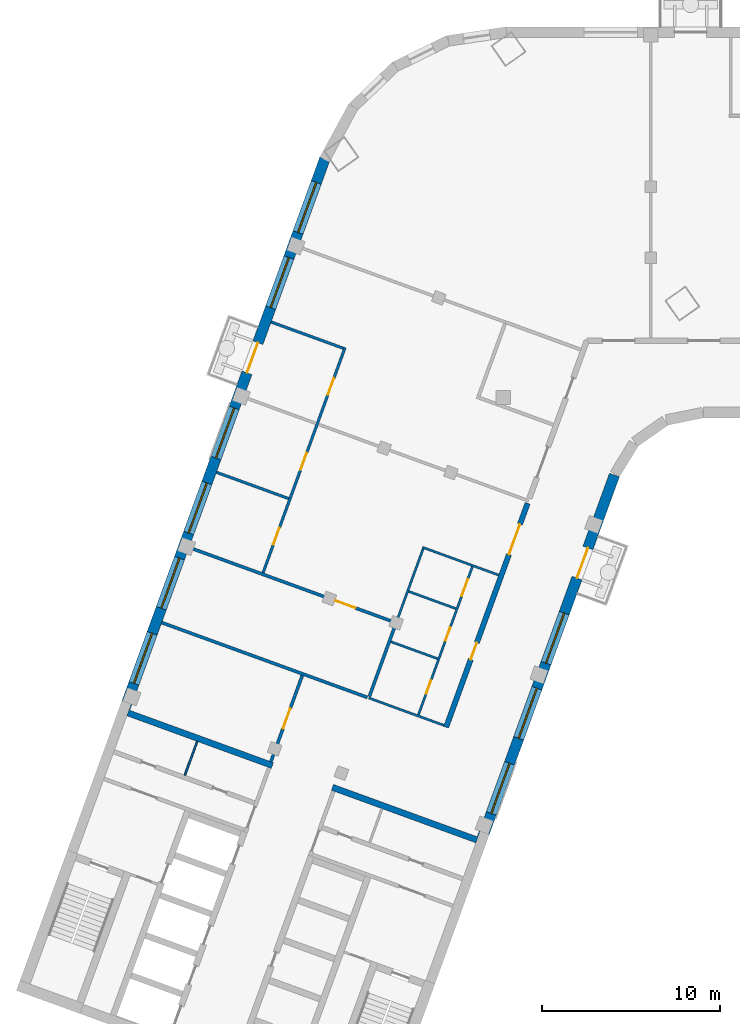
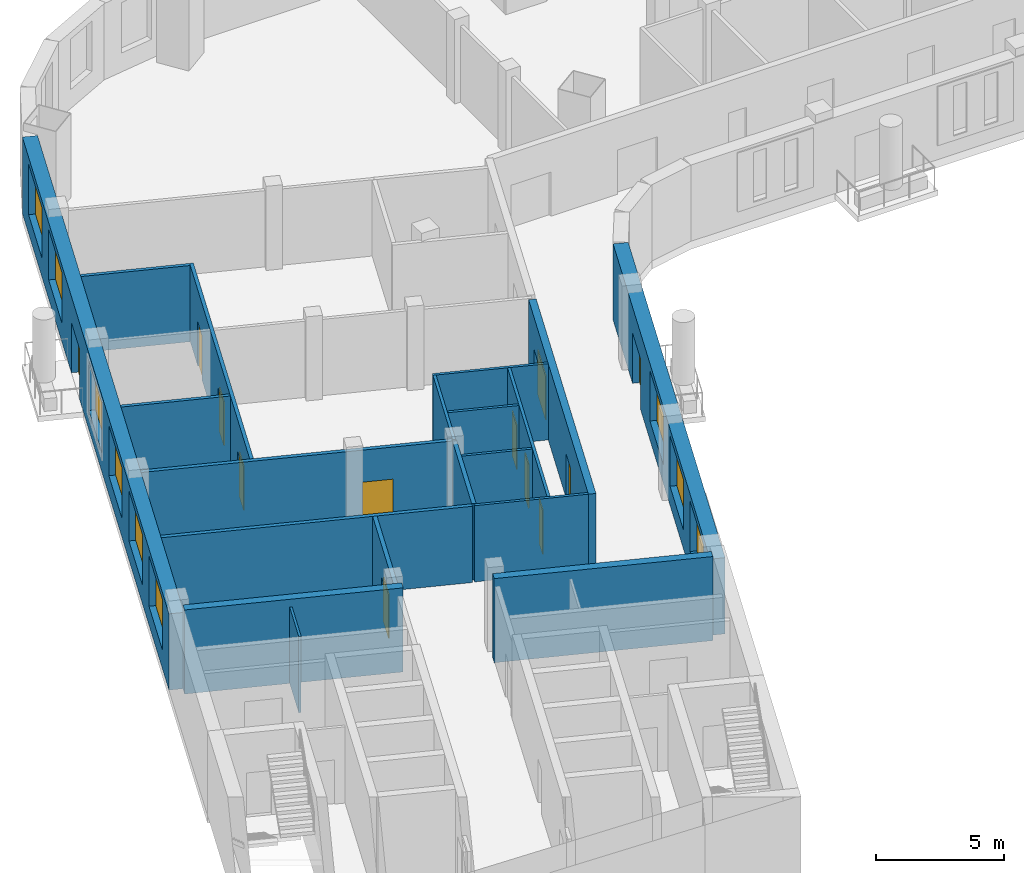
# One storey, part 3 of 10: 19 walls, 12 doors, 9 windows, 21 openings.
"""IFC4 building model written with IfcOpenShell, lengths in metres."""

from ifc_helpers import new_model, si_unit, direction, frame, frame_2d, origin, place, context, subcontext, project, spatial, rectangle, extrude, material, layer, layer_set, type_object, element, fill, save


model = new_model("IFC4")

# Units and contexts
model_context = context("Model", 3, precision=1e-05, world=origin(), true_north=direction((0.0, 1.0)))
body_context = subcontext(model_context, "Body", "Model", "MODEL_VIEW")
ifc_project = project(units=[si_unit("LENGTHUNIT", "METRE"), si_unit("AREAUNIT", "SQUARE_METRE"), si_unit("VOLUMEUNIT", "CUBIC_METRE"), si_unit("PLANEANGLEUNIT", "RADIAN"), si_unit("MASSUNIT", "GRAM", prefix="KILO")], contexts=[model_context])

# Site, building, storey
site_placement = place(None, origin())
site = spatial("IfcSite", under=ifc_project, at=site_placement, CompositionType="ELEMENT")
building_placement = place(site_placement, origin())
building = spatial("IfcBuilding", under=site, at=building_placement, Name="Skarvind Civic Tower", CompositionType="ELEMENT")
storey_placement = place(building_placement, frame((0.0, 0.0, 154.5)))
storey = spatial("IfcBuildingStorey", under=building, at=storey_placement, Name="L36", CompositionType="ELEMENT", Elevation=154.5)

# Wall
ifc_material_1 = material(Name="Acoustic gypsum board on steel studs", Category="steel")
ifc_layer_1 = layer(ifc_material_1, 0.175048828125)
ifc_layer_set_1 = layer_set([ifc_layer_1], Name="ACOUSTIC MEETING-ROOM PARTITION 175")
wall_type_1 = type_object("IfcWallType", Name="ACOUSTIC MEETING-ROOM PARTITION 175", PredefinedType="PARTITIONING", material=ifc_layer_set_1)
wall_1_placement = place(storey_placement, frame((26.736083984375, 105.47998046875, 0.0), z_axis=(0.0, 0.0, 1.0), x_axis=(0.939721611154, -0.341940482438, 0.0)))
element("IfcWall", 1, at=wall_1_placement, inside=storey, type_object=wall_type_1, Name="Partition 36.001", PredefinedType="PARTITIONING", context=body_context, shape_type="SweptSolid", body=[
    extrude(rectangle(XDim=12.31201171875, YDim=0.175048828125, at=frame_2d((6.156005859375, 0.0))), origin(), (0.0, 0.0, 1.0), 3.625),
])

# Wall, opening, door
wall_2_placement = place(storey_placement, frame((32.881103515625, 97.656982421875, 0.0), z_axis=(0.0, 0.0, 1.0), x_axis=(0.342058204353, 0.939678766832, 0.0)))
wall_2 = element("IfcWall", 2, at=wall_2_placement, inside=storey, type_object=wall_type_1, Name="Partition 36.006", PredefinedType="PARTITIONING", context=body_context, shape_type="SweptSolid", body=[
    extrude(rectangle(XDim=5.16259765625, YDim=0.175048828125, at=frame_2d((2.581298828125, 0.0))), origin(), (0.0, 0.0, 1.0), 3.625),
])
opening_1_placement = place(wall_2_placement, frame((1.9912109375, 0.0, 0.0)))
opening_1 = element("IfcOpeningElement", 3, at=opening_1_placement, cuts=wall_2, Name="Opening L36-D012", PredefinedType="OPENING", context=body_context, shape_type="SweptSolid", body=[
    extrude(rectangle(XDim=1.199951171875, YDim=2.10009765625, at=frame_2d((0.60009765625, 1.050048828125))), frame((0.0, 0.097412109375, 0.0), z_axis=(0.0, -1.0, 0.0), x_axis=(1.0, 0.0, 0.0)), (0.0, 0.0, 1.0), 0.195068359375),
])
ifc_material_2 = material(Name="Timber door leaf", Category="wood")
door_type_1 = type_object("IfcDoorType", Name="DOOR 1200X2100 DOUBLE TIMBER", OperationType="NOTDEFINED", PredefinedType="DOOR", material=ifc_material_2)
door_1_placement = place(opening_1_placement, origin())
door_1 = element("IfcDoor", 4, at=door_1_placement, inside=storey, type_object=door_type_1, Name="Door L36-D012", OperationType="DOUBLE_DOOR_SINGLE_SWING", OverallHeight=2.10009765625, OverallWidth=1.199951171875, PredefinedType="DOOR", context=body_context, shape_type="SweptSolid", body=[
    extrude(rectangle(XDim=1.199951171875, YDim=2.10009765625, at=frame_2d((0.60009765625, 1.050048828125))), frame((0.0, 0.02490234375, 0.0), z_axis=(0.0, -1.0, 0.0), x_axis=(1.0, 0.0, 0.0)), (0.0, 0.0, 1.0), 0.050048828125),
])
fill(opening_1, door_1)

# Wall
wall_3_placement = place(storey_placement, frame((38.41796875, 101.322021484375, 0.0), z_axis=(0.0, 0.0, 1.0), x_axis=(0.341987815327, 0.939704386585, 0.0)))
element("IfcWall", 5, at=wall_3_placement, inside=storey, type_object=wall_type_1, Name="Partition 36.009", PredefinedType="PARTITIONING", context=body_context, shape_type="SweptSolid", body=[
    extrude(rectangle(XDim=4.32470703125, YDim=0.175048828125, at=frame_2d((2.162353515625, 0.0))), origin(), (0.0, 0.0, 1.0), 3.625),
])

# Wall, opening, door
wall_4_placement = place(storey_placement, frame((28.27490234375, 109.708984375, 0.0), z_axis=(0.0, 0.0, 1.0), x_axis=(0.939698441386, -0.342004150936, 0.0)))
wall_4 = element("IfcWall", 6, at=wall_4_placement, inside=storey, type_object=wall_type_1, Name="Partition 36.011", PredefinedType="PARTITIONING", context=body_context, shape_type="SweptSolid", body=[
    extrude(rectangle(XDim=12.3125, YDim=0.175048828125, at=frame_2d((6.15625, 0.0))), origin(), (0.0, 0.0, 1.0), 3.625),
])
opening_2_placement = place(wall_4_placement, frame((8.764892578125, 0.0, 0.0)))
opening_2 = element("IfcOpeningElement", 7, at=opening_2_placement, cuts=wall_4, Name="Opening L36-D024", PredefinedType="OPENING", context=body_context, shape_type="SweptSolid", body=[
    extrude(rectangle(XDim=1.199951171875, YDim=2.10009765625, at=frame_2d((0.60009765625, 1.050048828125))), frame((0.0, 0.097412109375, 0.0), z_axis=(0.0, -1.0, 0.0), x_axis=(1.0, 0.0, 0.0)), (0.0, 0.0, 1.0), 0.195068359375),
])
door_2_placement = place(opening_2_placement, origin())
door_2 = element("IfcDoor", 8, at=door_2_placement, inside=storey, type_object=door_type_1, Name="Door L36-D024", OperationType="DOUBLE_DOOR_SINGLE_SWING", OverallHeight=2.10009765625, OverallWidth=1.199951171875, PredefinedType="DOOR", context=body_context, shape_type="SweptSolid", body=[
    extrude(rectangle(XDim=1.199951171875, YDim=2.10009765625, at=frame_2d((0.60009765625, 1.050048828125))), frame((0.0, 0.02490234375, 0.0), z_axis=(0.0, -1.0, 0.0), x_axis=(1.0, 0.0, 0.0)), (0.0, 0.0, 1.0), 0.050048828125),
])
fill(opening_2, door_2)

# Wall, openings, doors
ifc_material_3 = material(Name="Fire-rated gypsum board on steel studs", Category="steel")
ifc_layer_2 = layer(ifc_material_3, 0.300048828125)
ifc_layer_set_2 = layer_set([ifc_layer_2], Name="CORRIDOR WALL 300")
wall_type_2 = type_object("IfcWallType", Name="CORRIDOR WALL 300", PredefinedType="PARTITIONING", material=ifc_layer_set_2)
wall_5_placement = place(storey_placement, frame((47.324951171875, 112.197021484375, 0.0), z_axis=(0.0, 0.0, 1.0), x_axis=(-0.341976837053, -0.93970838185, 0.0)))
wall_5 = element("IfcWall", 9, at=wall_5_placement, inside=storey, type_object=wall_type_2, Name="Partition 36.018", PredefinedType="PARTITIONING", context=body_context, shape_type="SweptSolid", body=[
    extrude(rectangle(XDim=13.415771484375, YDim=0.300048828125, at=frame_2d((6.7080078125, 0.0))), origin(), (0.0, 0.0, 1.0), 3.625),
])
opening_3_placement = place(wall_5_placement, frame((8.353515625, 0.0, 0.0)))
opening_3 = element("IfcOpeningElement", 10, at=opening_3_placement, cuts=wall_5, Name="Opening L36-D013", PredefinedType="OPENING", context=body_context, shape_type="SweptSolid", body=[
    extrude(rectangle(XDim=1.0, YDim=2.10009765625, at=frame_2d((0.5, 1.050048828125))), frame((0.0, 0.159912109375, 0.0), z_axis=(0.0, -1.0, 0.0), x_axis=(1.0, 0.0, 0.0)), (0.0, 0.0, 1.0), 0.320068359375),
])
opening_4_placement = place(wall_5_placement, frame((1.2666015625, 0.0, 0.0)))
opening_4 = element("IfcOpeningElement", 11, at=opening_4_placement, cuts=wall_5, Name="Opening L36-D019", PredefinedType="OPENING", context=body_context, shape_type="SweptSolid", body=[
    extrude(rectangle(XDim=1.800048828125, YDim=2.10009765625, at=frame_2d((0.89990234375, 1.050048828125))), frame((0.0, 0.159912109375, 0.0), z_axis=(0.0, -1.0, 0.0), x_axis=(1.0, 0.0, 0.0)), (0.0, 0.0, 1.0), 0.320068359375),
])
ifc_material_4 = material(Name="Fire-rated timber door leaf", Category="wood")
door_type_2 = type_object("IfcDoorType", Name="FD1 1000x2100", OperationType="NOTDEFINED", PredefinedType="DOOR", material=ifc_material_4)
door_3_placement = place(opening_3_placement, origin())
door_3 = element("IfcDoor", 12, at=door_3_placement, inside=storey, type_object=door_type_2, Name="Door L36-D013", OperationType="SINGLE_SWING_LEFT", OverallHeight=2.10009765625, OverallWidth=1.0, PredefinedType="DOOR", context=body_context, shape_type="SweptSolid", body=[
    extrude(rectangle(XDim=1.0, YDim=2.10009765625, at=frame_2d((0.5, 1.050048828125))), frame((0.0, 0.02490234375, 0.0), z_axis=(0.0, -1.0, 0.0), x_axis=(1.0, 0.0, 0.0)), (0.0, 0.0, 1.0), 0.050048828125),
])
fill(opening_3, door_3)
door_type_3 = type_object("IfcDoorType", Name="FD4 1800x2100", OperationType="NOTDEFINED", PredefinedType="DOOR", material=ifc_material_4)
door_4_placement = place(opening_4_placement, origin())
door_4 = element("IfcDoor", 13, at=door_4_placement, inside=storey, type_object=door_type_3, Name="Door L36-D019", OperationType="DOUBLE_DOOR_SINGLE_SWING", OverallHeight=2.10009765625, OverallWidth=1.800048828125, PredefinedType="DOOR", context=body_context, shape_type="SweptSolid", body=[
    extrude(rectangle(XDim=1.800048828125, YDim=2.10009765625, at=frame_2d((0.89990234375, 1.050048828125))), frame((0.0, 0.02490234375, 0.0), z_axis=(0.0, -1.0, 0.0), x_axis=(1.0, 0.0, 0.0)), (0.0, 0.0, 1.0), 0.050048828125),
])
fill(opening_4, door_4)

# Walls
ifc_material_5 = material(Name="Fire-rated plasterboard partition")
ifc_layer_3 = layer(ifc_material_5, 0.10009765625)
ifc_layer_set_3 = layer_set([ifc_layer_3], Name="Core partition wall 100")
wall_type_3 = type_object("IfcWallType", Name="Core partition wall 100", PredefinedType="PARTITIONING", material=ifc_layer_set_3)
wall_6_placement = place(storey_placement, frame((28.037353515625, 96.892578125, 0.0), z_axis=(0.0, 0.0, 1.0), x_axis=(0.342043138314, 0.939684250976, 0.0)))
element("IfcWall", 14, at=wall_6_placement, inside=storey, type_object=wall_type_3, Name="Core wall C2", PredefinedType="PARTITIONING", context=body_context, shape_type="SweptSolid", body=[
    extrude(rectangle(XDim=2.02490234375, YDim=0.10009765625, at=frame_2d((1.012451171875, 0.0))), origin(), (0.0, 0.0, 1.0), 3.625),
])
ifc_material_6 = material(Name="Concrete C60", Category="concrete")
ifc_layer_4 = layer(ifc_material_6, 0.35009765625)
ifc_layer_set_4 = layer_set([ifc_layer_4], Name="Core wall 350 C60")
wall_type_4 = type_object("IfcWallType", Name="Core wall 350 C60", PredefinedType="SHEAR", material=ifc_layer_set_4)
wall_7_placement = place(storey_placement, frame((44.473388671875, 93.25146484375, 0.0), z_axis=(0.0, 0.0, 1.0), x_axis=(-0.939692847377, 0.34201952077, 0.0)))
element("IfcWall", 15, at=wall_7_placement, inside=storey, type_object=wall_type_4, Name="Core wall C2 south inner face L36", PredefinedType="SHEAR", context=body_context, shape_type="SweptSolid", body=[
    extrude(rectangle(XDim=8.650146484375, YDim=0.35009765625, at=frame_2d((4.3251953125, 0.0))), origin(), (0.0, 0.0, 1.0), 4.0),
])
wall_8_placement = place(storey_placement, frame((32.9619140625, 97.44140625, 0.0), z_axis=(0.0, 0.0, 1.0), x_axis=(-0.939689545667, 0.342028592028, 0.0)))
element("IfcWall", 16, at=wall_8_placement, inside=storey, type_object=wall_type_4, Name="Core wall C2 north inner face L36", PredefinedType="SHEAR", context=body_context, shape_type="SweptSolid", body=[
    extrude(rectangle(XDim=8.64990234375, YDim=0.35009765625, at=frame_2d((4.324951171875, 0.0))), origin(), (0.0, 0.0, 1.0), 4.0),
])
ifc_material_7 = material(Name="Plasterboard partition on steel studs", Category="steel")
ifc_layer_5 = layer(ifc_material_7, 0.14990234375)
ifc_layer_set_5 = layer_set([ifc_layer_5], Name="PARTITION 150")
wall_type_5 = type_object("IfcWallType", Name="PARTITION 150", PredefinedType="PARTITIONING", material=ifc_layer_set_5)
wall_9_placement = place(storey_placement, frame((29.81396484375, 113.93798828125, 0.0), z_axis=(0.0, 0.0, 1.0), x_axis=(0.93973078783, -0.341915262023, 0.0)))
element("IfcWall", 17, at=wall_9_placement, inside=storey, type_object=wall_type_5, Name="Partition 36.002", PredefinedType="PARTITIONING", context=body_context, shape_type="SweptSolid", body=[
    extrude(rectangle(XDim=4.32568359375, YDim=0.14990234375, at=frame_2d((2.162841796875, 0.0))), origin(), (0.0, 0.0, 1.0), 3.625),
])

# Wall, openings, doors
wall_10_placement = place(storey_placement, frame((37.052978515625, 120.9599609375, 0.0), z_axis=(0.0, 0.0, 1.0), x_axis=(-0.342023551531, -0.939691380293, 0.0)))
wall_10 = element("IfcWall", 18, at=wall_10_placement, inside=storey, type_object=wall_type_5, Name="Partition 36.004", PredefinedType="PARTITIONING", context=body_context, shape_type="SweptSolid", body=[
    extrude(rectangle(XDim=13.487548828125, YDim=0.14990234375, at=frame_2d((6.74365234375, 0.0))), origin(), (0.0, 0.0, 1.0), 3.625),
])
opening_5_placement = place(wall_10_placement, frame((10.791015625, 0.0, 0.0)))
opening_5 = element("IfcOpeningElement", 19, at=opening_5_placement, cuts=wall_10, Name="Opening L36-D017", PredefinedType="OPENING", context=body_context, shape_type="SweptSolid", body=[
    extrude(rectangle(XDim=1.0, YDim=2.10009765625, at=frame_2d((0.5, 1.050048828125))), frame((0.0, 0.0849609375, 0.0), z_axis=(0.0, -1.0, 0.0), x_axis=(1.0, 0.0, 0.0)), (0.0, 0.0, 1.0), 0.169921875),
])
opening_6_placement = place(wall_10_placement, frame((6.32421875, 0.0, 0.0)))
opening_6 = element("IfcOpeningElement", 20, at=opening_6_placement, cuts=wall_10, Name="Opening L36-D018", PredefinedType="OPENING", context=body_context, shape_type="SweptSolid", body=[
    extrude(rectangle(XDim=1.0, YDim=2.10009765625, at=frame_2d((0.5, 1.050048828125))), frame((0.0, 0.0849609375, 0.0), z_axis=(0.0, -1.0, 0.0), x_axis=(1.0, 0.0, 0.0)), (0.0, 0.0, 1.0), 0.169921875),
])
opening_7_placement = place(wall_10_placement, frame((1.82421875, 0.0, 0.0)))
opening_7 = element("IfcOpeningElement", 21, at=opening_7_placement, cuts=wall_10, Name="Opening L36-D021", PredefinedType="OPENING", context=body_context, shape_type="SweptSolid", body=[
    extrude(rectangle(XDim=1.0, YDim=2.10009765625, at=frame_2d((0.5, 1.050048828125))), frame((0.0, 0.0849609375, 0.0), z_axis=(0.0, -1.0, 0.0), x_axis=(1.0, 0.0, 0.0)), (0.0, 0.0, 1.0), 0.169921875),
])
door_type_4 = type_object("IfcDoorType", Name="D1 1000x2100", OperationType="NOTDEFINED", PredefinedType="DOOR", material=ifc_material_2)
door_5_placement = place(opening_5_placement, origin())
door_5 = element("IfcDoor", 22, at=door_5_placement, inside=storey, type_object=door_type_4, Name="Door L36-D017", OperationType="SINGLE_SWING_LEFT", OverallHeight=2.10009765625, OverallWidth=1.0, PredefinedType="DOOR", context=body_context, shape_type="SweptSolid", body=[
    extrude(rectangle(XDim=1.0, YDim=2.10009765625, at=frame_2d((0.5, 1.050048828125))), frame((0.0, 0.02490234375, 0.0), z_axis=(0.0, -1.0, 0.0), x_axis=(1.0, 0.0, 0.0)), (0.0, 0.0, 1.0), 0.050048828125),
])
fill(opening_5, door_5)
door_6_placement = place(opening_6_placement, origin())
door_6 = element("IfcDoor", 23, at=door_6_placement, inside=storey, type_object=door_type_4, Name="Door L36-D018", OperationType="SINGLE_SWING_RIGHT", OverallHeight=2.10009765625, OverallWidth=1.0, PredefinedType="DOOR", context=body_context, shape_type="SweptSolid", body=[
    extrude(rectangle(XDim=1.0, YDim=2.10009765625, at=frame_2d((0.5, 1.050048828125))), frame((0.0, 0.02490234375, 0.0), z_axis=(0.0, -1.0, 0.0), x_axis=(1.0, 0.0, 0.0)), (0.0, 0.0, 1.0), 0.050048828125),
])
fill(opening_6, door_6)
door_7_placement = place(opening_7_placement, origin())
door_7 = element("IfcDoor", 24, at=door_7_placement, inside=storey, type_object=door_type_4, Name="Door L36-D021", OperationType="SINGLE_SWING_LEFT", OverallHeight=2.10009765625, OverallWidth=1.0, PredefinedType="DOOR", context=body_context, shape_type="SweptSolid", body=[
    extrude(rectangle(XDim=1.0, YDim=2.10009765625, at=frame_2d((0.5, 1.050048828125))), frame((0.0, 0.02490234375, 0.0), z_axis=(0.0, -1.0, 0.0), x_axis=(1.0, 0.0, 0.0)), (0.0, 0.0, 1.0), 0.050048828125),
])
fill(opening_7, door_7)

# Walls
wall_11_placement = place(storey_placement, frame((32.89208984375, 122.39501953125, 0.0), z_axis=(0.0, 0.0, 1.0), x_axis=(0.93973078783, -0.341915262023, 0.0)))
element("IfcWall", 25, at=wall_11_placement, inside=storey, type_object=wall_type_5, Name="Partition 36.005", PredefinedType="PARTITIONING", context=body_context, shape_type="SweptSolid", body=[
    extrude(rectangle(XDim=4.32568359375, YDim=0.14990234375, at=frame_2d((2.162841796875, 0.0))), origin(), (0.0, 0.0, 1.0), 3.625),
])
ifc_material_8 = material(Name="Moisture-resistant gypsum board on steel studs", Category="steel")
ifc_layer_6 = layer(ifc_material_8, 0.125)
ifc_layer_set_6 = layer_set([ifc_layer_6], Name="WC PARTITION 125")
wall_type_6 = type_object("IfcWallType", Name="WC PARTITION 125", PredefinedType="PARTITIONING", material=ifc_layer_set_6)
wall_12_placement = place(storey_placement, frame((38.385009765625, 101.239990234375, 0.0), z_axis=(0.0, 0.0, 1.0), x_axis=(0.939711088937, -0.341969398235, 0.0)))
element("IfcWall", 26, at=wall_12_placement, inside=storey, type_object=wall_type_6, Name="Partition 36.007", PredefinedType="PARTITIONING", context=body_context, shape_type="SweptSolid", body=[
    extrude(rectangle(XDim=4.50341796875, YDim=0.125, at=frame_2d((2.251708984375, 0.0))), origin(), (0.0, 0.0, 1.0), 3.625),
])
wall_13_placement = place(storey_placement, frame((39.926025390625, 105.465087890625, 0.0), z_axis=(0.0, 0.0, 1.0), x_axis=(0.342263852659, 0.93960388205, 0.0)))
element("IfcWall", 27, at=wall_13_placement, inside=storey, type_object=wall_type_6, Name="Partition 36.010", PredefinedType="PARTITIONING", context=body_context, shape_type="SweptSolid", body=[
    extrude(rectangle(XDim=4.441162109375, YDim=0.125, at=frame_2d((2.220703125, 0.0))), origin(), (0.0, 0.0, 1.0), 3.625),
])

# Wall, openings, doors
wall_14_placement = place(storey_placement, frame((41.180908203125, 100.2900390625, 0.0), z_axis=(0.0, 0.0, 1.0), x_axis=(0.34222012082, 0.939619810831, 0.0)))
wall_14 = element("IfcWall", 28, at=wall_14_placement, inside=storey, type_object=wall_type_6, Name="Partition 36.014", PredefinedType="PARTITIONING", context=body_context, shape_type="SweptSolid", body=[
    extrude(rectangle(XDim=8.874755859375, YDim=0.125, at=frame_2d((4.4375, 0.0))), origin(), (0.0, 0.0, 1.0), 3.625),
])
opening_8_placement = place(wall_14_placement, frame((1.25830078125, 0.0, 0.0)))
opening_8 = element("IfcOpeningElement", 29, at=opening_8_placement, cuts=wall_14, Name="Opening L36-D014", PredefinedType="OPENING", context=body_context, shape_type="SweptSolid", body=[
    extrude(rectangle(XDim=0.800048828125, YDim=2.10009765625, at=frame_2d((0.39990234375, 1.050048828125))), frame((0.0, 0.072509765625, 0.0), z_axis=(0.0, -1.0, 0.0), x_axis=(1.0, 0.0, 0.0)), (0.0, 0.0, 1.0), 0.14501953125),
])
opening_9_placement = place(wall_14_placement, frame((4.43701171875, 0.0, 0.0)))
opening_9 = element("IfcOpeningElement", 30, at=opening_9_placement, cuts=wall_14, Name="Opening L36-D015", PredefinedType="OPENING", context=body_context, shape_type="SweptSolid", body=[
    extrude(rectangle(XDim=0.800048828125, YDim=2.10009765625, at=frame_2d((0.39990234375, 1.050048828125))), frame((0.0, 0.072509765625, 0.0), z_axis=(0.0, -1.0, 0.0), x_axis=(1.0, 0.0, 0.0)), (0.0, 0.0, 1.0), 0.14501953125),
])
opening_10_placement = place(wall_14_placement, frame((7.1162109375, 0.0, 0.0)))
opening_10 = element("IfcOpeningElement", 31, at=opening_10_placement, cuts=wall_14, Name="Opening L36-D016", PredefinedType="OPENING", context=body_context, shape_type="SweptSolid", body=[
    extrude(rectangle(XDim=1.0, YDim=2.10009765625, at=frame_2d((0.5, 1.050048828125))), frame((0.0, 0.072509765625, 0.0), z_axis=(0.0, -1.0, 0.0), x_axis=(1.0, 0.0, 0.0)), (0.0, 0.0, 1.0), 0.14501953125),
])
door_8_placement = place(opening_10_placement, origin())
door_8 = element("IfcDoor", 32, at=door_8_placement, inside=storey, type_object=door_type_4, Name="Door L36-D016", OperationType="SINGLE_SWING_LEFT", OverallHeight=2.10009765625, OverallWidth=1.0, PredefinedType="DOOR", context=body_context, shape_type="SweptSolid", body=[
    extrude(rectangle(XDim=1.0, YDim=2.10009765625, at=frame_2d((0.5, 1.050048828125))), frame((0.0, 0.02490234375, 0.0), z_axis=(0.0, -1.0, 0.0), x_axis=(1.0, 0.0, 0.0)), (0.0, 0.0, 1.0), 0.050048828125),
])
fill(opening_10, door_8)
door_type_5 = type_object("IfcDoorType", Name="DOOR 800X2100 TIMBER", OperationType="NOTDEFINED", PredefinedType="DOOR", material=ifc_material_2)
door_9_placement = place(opening_8_placement, origin())
door_9 = element("IfcDoor", 33, at=door_9_placement, inside=storey, type_object=door_type_5, Name="Door L36-D014", OperationType="SINGLE_SWING_LEFT", OverallHeight=2.10009765625, OverallWidth=0.800048828125, PredefinedType="DOOR", context=body_context, shape_type="SweptSolid", body=[
    extrude(rectangle(XDim=0.800048828125, YDim=2.10009765625, at=frame_2d((0.39990234375, 1.050048828125))), frame((0.0, 0.02490234375, 0.0), z_axis=(0.0, -1.0, 0.0), x_axis=(1.0, 0.0, 0.0)), (0.0, 0.0, 1.0), 0.050048828125),
])
fill(opening_8, door_9)
door_10_placement = place(opening_9_placement, origin())
door_10 = element("IfcDoor", 34, at=door_10_placement, inside=storey, type_object=door_type_5, Name="Door L36-D015", OperationType="SINGLE_SWING_LEFT", OverallHeight=2.10009765625, OverallWidth=0.800048828125, PredefinedType="DOOR", context=body_context, shape_type="SweptSolid", body=[
    extrude(rectangle(XDim=0.800048828125, YDim=2.10009765625, at=frame_2d((0.39990234375, 1.050048828125))), frame((0.0, 0.02490234375, 0.0), z_axis=(0.0, -1.0, 0.0), x_axis=(1.0, 0.0, 0.0)), (0.0, 0.0, 1.0), 0.050048828125),
])
fill(opening_9, door_10)

# Walls
wall_15_placement = place(storey_placement, frame((41.407958984375, 109.718017578125, 0.0), z_axis=(0.0, 0.0, 1.0), x_axis=(0.939646475447, -0.3421469, 0.0)))
element("IfcWall", 35, at=wall_15_placement, inside=storey, type_object=wall_type_6, Name="Partition 36.015", PredefinedType="PARTITIONING", context=body_context, shape_type="SweptSolid", body=[
    extrude(rectangle(XDim=4.5625, YDim=0.125, at=frame_2d((2.28125, 0.0))), origin(), (0.0, 0.0, 1.0), 3.625),
])
wall_16_placement = place(storey_placement, frame((42.263916015625, 103.446044921875, 0.0), z_axis=(0.0, 0.0, 1.0), x_axis=(-0.939640574808, 0.342163104635, 0.0)))
element("IfcWall", 36, at=wall_16_placement, inside=storey, type_object=wall_type_6, Name="Partition 36.016", PredefinedType="PARTITIONING", context=body_context, shape_type="SweptSolid", body=[
    extrude(rectangle(XDim=2.7998046875, YDim=0.125, at=frame_2d((1.39990234375, 0.0))), origin(), (0.0, 0.0, 1.0), 3.625),
])
wall_17_placement = place(storey_placement, frame((43.2900390625, 106.26611328125, 0.0), z_axis=(0.0, 0.0, 1.0), x_axis=(-0.939601484935, 0.342270433294, 0.0)))
element("IfcWall", 37, at=wall_17_placement, inside=storey, type_object=wall_type_6, Name="Partition 36.019", PredefinedType="PARTITIONING", context=body_context, shape_type="SweptSolid", body=[
    extrude(rectangle(XDim=2.82470703125, YDim=0.125, at=frame_2d((1.412353515625, 0.0))), origin(), (0.0, 0.0, 1.0), 3.625),
])

# Wall, openings, door, windows
ifc_material_9 = material(Name="Limestone masonry cladding on insulated backing", Category="masonry")
ifc_layer_7 = layer(ifc_material_9, 0.60009765625)
ifc_layer_set_7 = layer_set([ifc_layer_7], Name="WX1 STONE FACADE WALL 600")
wall_type_7 = type_object("IfcWallType", Name="WX1 STONE FACADE WALL 600", PredefinedType="SOLIDWALL", material=ifc_layer_set_7)
wall_18_placement = place(storey_placement, frame((52.212158203125, 113.78271484375, 0.0), z_axis=(0.0, 0.0, 1.0), x_axis=(-0.34202521188, -0.939690775968, 0.0)))
wall_18 = element("IfcWall", 38, at=wall_18_placement, inside=storey, type_object=wall_type_7, Name="STONE FACADE WALL", PredefinedType="SOLIDWALL", context=body_context, shape_type="SweptSolid", body=[
    extrude(rectangle(XDim=21.744873046875, YDim=0.60009765625, at=frame_2d((10.87255859375, 0.0))), origin(), (0.0, 0.0, 1.0), 3.625),
])
opening_11_placement = place(wall_18_placement, frame((4.364990234375, 0.0, 0.0)))
opening_11 = element("IfcOpeningElement", 39, at=opening_11_placement, cuts=wall_18, Name="Opening DX3", PredefinedType="OPENING", context=body_context, shape_type="SweptSolid", body=[
    extrude(rectangle(XDim=1.800048828125, YDim=2.39990234375, at=frame_2d((0.89990234375, 1.199951171875))), frame((0.0, 0.31005859375, 0.0), z_axis=(0.0, -1.0, 0.0), x_axis=(1.0, 0.0, 0.0)), (0.0, 0.0, 1.0), 0.6201171875),
])
opening_12_placement = place(wall_18_placement, frame((8.264892578125, 0.0, 0.89990234375)))
opening_12 = element("IfcOpeningElement", 40, at=opening_12_placement, cuts=wall_18, Name="Opening WN1", PredefinedType="OPENING", context=body_context, shape_type="SweptSolid", body=[
    extrude(rectangle(XDim=3.0, YDim=2.39990234375, at=frame_2d((1.5, 1.199951171875))), frame((0.0, 0.31005859375, 0.0), z_axis=(0.0, -1.0, 0.0), x_axis=(1.0, 0.0, 0.0)), (0.0, 0.0, 1.0), 0.6201171875),
])
opening_13_placement = place(wall_18_placement, frame((12.764892578125, 0.0, 0.89990234375)))
opening_13 = element("IfcOpeningElement", 41, at=opening_13_placement, cuts=wall_18, Name="Opening WN1", PredefinedType="OPENING", context=body_context, shape_type="SweptSolid", body=[
    extrude(rectangle(XDim=3.0, YDim=2.39990234375, at=frame_2d((1.5, 1.199951171875))), frame((0.0, 0.31005859375, 0.0), z_axis=(0.0, -1.0, 0.0), x_axis=(1.0, 0.0, 0.0)), (0.0, 0.0, 1.0), 0.6201171875),
])
opening_14_placement = place(wall_18_placement, frame((17.264892578125, 0.0, 0.89990234375)))
opening_14 = element("IfcOpeningElement", 42, at=opening_14_placement, cuts=wall_18, Name="Opening WN1", PredefinedType="OPENING", context=body_context, shape_type="SweptSolid", body=[
    extrude(rectangle(XDim=3.0, YDim=2.39990234375, at=frame_2d((1.5, 1.199951171875))), frame((0.0, 0.31005859375, 0.0), z_axis=(0.0, -1.0, 0.0), x_axis=(1.0, 0.0, 0.0)), (0.0, 0.0, 1.0), 0.6201171875),
])
ifc_material_10 = material(Name="Timber and glass doorset", Category="wood")
door_type_6 = type_object("IfcDoorType", Name="DX3 TERRACE DOORS 1800 x 2400", OperationType="NOTDEFINED", PredefinedType="DOOR", material=ifc_material_10)
door_11_placement = place(opening_11_placement, origin())
door_11 = element("IfcDoor", 43, at=door_11_placement, inside=storey, type_object=door_type_6, Name="TERRACE DOORS", OperationType="DOUBLE_DOOR_SINGLE_SWING", OverallHeight=2.39990234375, OverallWidth=1.800048828125, PredefinedType="DOOR", context=body_context, shape_type="SweptSolid", body=[
    extrude(rectangle(XDim=1.800048828125, YDim=2.39990234375, at=frame_2d((0.89990234375, 1.199951171875))), frame((0.0, 0.02490234375, 0.0), z_axis=(0.0, -1.0, 0.0), x_axis=(1.0, 0.0, 0.0)), (0.0, 0.0, 1.0), 0.050048828125),
])
fill(opening_11, door_11)
ifc_material_11 = material(Name="Timber frame, double glazing, timber-lined reveal", Category="wood")
window_type = type_object("IfcWindowType", Name="WN1 PUNCHED STONE WINDOW 3000 x 2400", PartitioningType="SINGLE_PANEL", PredefinedType="WINDOW", material=ifc_material_11)
window_1_placement = place(opening_12_placement, origin())
window_1 = element("IfcWindow", 44, at=window_1_placement, inside=storey, type_object=window_type, Name="WN1 WINDOW", OverallHeight=2.39990234375, OverallWidth=3.0, PartitioningType="SINGLE_PANEL", PredefinedType="WINDOW", context=body_context, shape_type="SweptSolid", body=[
    extrude(rectangle(XDim=3.0, YDim=2.39990234375, at=frame_2d((1.5, 1.199951171875))), frame((0.0, 0.030029296875, 0.0), z_axis=(0.0, -1.0, 0.0), x_axis=(1.0, 0.0, 0.0)), (0.0, 0.0, 1.0), 0.06005859375),
])
fill(opening_12, window_1)
window_2_placement = place(opening_13_placement, origin())
window_2 = element("IfcWindow", 45, at=window_2_placement, inside=storey, type_object=window_type, Name="WN1 WINDOW", OverallHeight=2.39990234375, OverallWidth=3.0, PartitioningType="SINGLE_PANEL", PredefinedType="WINDOW", context=body_context, shape_type="SweptSolid", body=[
    extrude(rectangle(XDim=3.0, YDim=2.39990234375, at=frame_2d((1.5, 1.199951171875))), frame((0.0, 0.030029296875, 0.0), z_axis=(0.0, -1.0, 0.0), x_axis=(1.0, 0.0, 0.0)), (0.0, 0.0, 1.0), 0.06005859375),
])
fill(opening_13, window_2)
window_3_placement = place(opening_14_placement, origin())
window_3 = element("IfcWindow", 46, at=window_3_placement, inside=storey, type_object=window_type, Name="WN1 WINDOW", OverallHeight=2.39990234375, OverallWidth=3.0, PartitioningType="SINGLE_PANEL", PredefinedType="WINDOW", context=body_context, shape_type="SweptSolid", body=[
    extrude(rectangle(XDim=3.0, YDim=2.39990234375, at=frame_2d((1.5, 1.199951171875))), frame((0.0, 0.030029296875, 0.0), z_axis=(0.0, -1.0, 0.0), x_axis=(1.0, 0.0, 0.0)), (0.0, 0.0, 1.0), 0.06005859375),
])
fill(opening_14, window_3)

wall_19_placement = place(storey_placement, frame((24.66552734375, 100.668701171875, 0.0), z_axis=(0.0, 0.0, 1.0), x_axis=(0.34201964167, 0.939692803373, 0.0)))
wall_19 = element("IfcWall", 47, at=wall_19_placement, inside=storey, type_object=wall_type_7, Name="STONE FACADE WALL", PredefinedType="SOLIDWALL", context=body_context, shape_type="SweptSolid", body=[
    extrude(rectangle(XDim=32.88427734375, YDim=0.60009765625, at=frame_2d((16.442138671875, 0.0))), origin(), (0.0, 0.0, 1.0), 3.625),
])
opening_15_placement = place(wall_19_placement, frame((1.47998046875, 0.0, 0.89990234375)))
opening_15 = element("IfcOpeningElement", 48, at=opening_15_placement, cuts=wall_19, Name="Opening WN1", PredefinedType="OPENING", context=body_context, shape_type="SweptSolid", body=[
    extrude(rectangle(XDim=3.0, YDim=2.39990234375, at=frame_2d((1.5, 1.199951171875))), frame((0.0, 0.31005859375, 0.0), z_axis=(0.0, -1.0, 0.0), x_axis=(1.0, 0.0, 0.0)), (0.0, 0.0, 1.0), 0.6201171875),
])
opening_16_placement = place(wall_19_placement, frame((5.97998046875, 0.0, 0.89990234375)))
opening_16 = element("IfcOpeningElement", 49, at=opening_16_placement, cuts=wall_19, Name="Opening WN1", PredefinedType="OPENING", context=body_context, shape_type="SweptSolid", body=[
    extrude(rectangle(XDim=3.0, YDim=2.39990234375, at=frame_2d((1.5, 1.199951171875))), frame((0.0, 0.31005859375, 0.0), z_axis=(0.0, -1.0, 0.0), x_axis=(1.0, 0.0, 0.0)), (0.0, 0.0, 1.0), 0.6201171875),
])
opening_17_placement = place(wall_19_placement, frame((10.47998046875, 0.0, 0.89990234375)))
opening_17 = element("IfcOpeningElement", 50, at=opening_17_placement, cuts=wall_19, Name="Opening WN1", PredefinedType="OPENING", context=body_context, shape_type="SweptSolid", body=[
    extrude(rectangle(XDim=3.0, YDim=2.39990234375, at=frame_2d((1.5, 1.199951171875))), frame((0.0, 0.31005859375, 0.0), z_axis=(0.0, -1.0, 0.0), x_axis=(1.0, 0.0, 0.0)), (0.0, 0.0, 1.0), 0.6201171875),
])
opening_18_placement = place(wall_19_placement, frame((14.97998046875, 0.0, 0.89990234375)))
opening_18 = element("IfcOpeningElement", 51, at=opening_18_placement, cuts=wall_19, Name="Opening WN1", PredefinedType="OPENING", context=body_context, shape_type="SweptSolid", body=[
    extrude(rectangle(XDim=3.0, YDim=2.39990234375, at=frame_2d((1.5, 1.199951171875))), frame((0.0, 0.31005859375, 0.0), z_axis=(0.0, -1.0, 0.0), x_axis=(1.0, 0.0, 0.0)), (0.0, 0.0, 1.0), 0.6201171875),
])
opening_19_placement = place(wall_19_placement, frame((20.080078125, 0.0, 0.0)))
opening_19 = element("IfcOpeningElement", 52, at=opening_19_placement, cuts=wall_19, Name="Opening DX3", PredefinedType="OPENING", context=body_context, shape_type="SweptSolid", body=[
    extrude(rectangle(XDim=1.800048828125, YDim=2.39990234375, at=frame_2d((0.89990234375, 1.199951171875))), frame((0.0, 0.31005859375, 0.0), z_axis=(0.0, -1.0, 0.0), x_axis=(1.0, 0.0, 0.0)), (0.0, 0.0, 1.0), 0.6201171875),
])
opening_20_placement = place(wall_19_placement, frame((23.97998046875, 0.0, 0.89990234375)))
opening_20 = element("IfcOpeningElement", 53, at=opening_20_placement, cuts=wall_19, Name="Opening WN1", PredefinedType="OPENING", context=body_context, shape_type="SweptSolid", body=[
    extrude(rectangle(XDim=3.0, YDim=2.39990234375, at=frame_2d((1.5, 1.199951171875))), frame((0.0, 0.31005859375, 0.0), z_axis=(0.0, -1.0, 0.0), x_axis=(1.0, 0.0, 0.0)), (0.0, 0.0, 1.0), 0.6201171875),
])
opening_21_placement = place(wall_19_placement, frame((28.47998046875, 0.0, 0.89990234375)))
opening_21 = element("IfcOpeningElement", 54, at=opening_21_placement, cuts=wall_19, Name="Opening WN1", PredefinedType="OPENING", context=body_context, shape_type="SweptSolid", body=[
    extrude(rectangle(XDim=3.0, YDim=2.39990234375, at=frame_2d((1.5, 1.199951171875))), frame((0.0, 0.31005859375, 0.0), z_axis=(0.0, -1.0, 0.0), x_axis=(1.0, 0.0, 0.0)), (0.0, 0.0, 1.0), 0.6201171875),
])
door_12_placement = place(opening_19_placement, origin())
door_12 = element("IfcDoor", 55, at=door_12_placement, inside=storey, type_object=door_type_6, Name="TERRACE DOORS", OperationType="DOUBLE_DOOR_SINGLE_SWING", OverallHeight=2.39990234375, OverallWidth=1.800048828125, PredefinedType="DOOR", context=body_context, shape_type="SweptSolid", body=[
    extrude(rectangle(XDim=1.800048828125, YDim=2.39990234375, at=frame_2d((0.89990234375, 1.199951171875))), frame((0.0, 0.02490234375, 0.0), z_axis=(0.0, -1.0, 0.0), x_axis=(1.0, 0.0, 0.0)), (0.0, 0.0, 1.0), 0.050048828125),
])
fill(opening_19, door_12)
window_4_placement = place(opening_15_placement, origin())
window_4 = element("IfcWindow", 56, at=window_4_placement, inside=storey, type_object=window_type, Name="WN1 WINDOW", OverallHeight=2.39990234375, OverallWidth=3.0, PartitioningType="SINGLE_PANEL", PredefinedType="WINDOW", context=body_context, shape_type="SweptSolid", body=[
    extrude(rectangle(XDim=3.0, YDim=2.39990234375, at=frame_2d((1.5, 1.199951171875))), frame((0.0, 0.030029296875, 0.0), z_axis=(0.0, -1.0, 0.0), x_axis=(1.0, 0.0, 0.0)), (0.0, 0.0, 1.0), 0.06005859375),
])
fill(opening_15, window_4)
window_5_placement = place(opening_16_placement, origin())
window_5 = element("IfcWindow", 57, at=window_5_placement, inside=storey, type_object=window_type, Name="WN1 WINDOW", OverallHeight=2.39990234375, OverallWidth=3.0, PartitioningType="SINGLE_PANEL", PredefinedType="WINDOW", context=body_context, shape_type="SweptSolid", body=[
    extrude(rectangle(XDim=3.0, YDim=2.39990234375, at=frame_2d((1.5, 1.199951171875))), frame((0.0, 0.030029296875, 0.0), z_axis=(0.0, -1.0, 0.0), x_axis=(1.0, 0.0, 0.0)), (0.0, 0.0, 1.0), 0.06005859375),
])
fill(opening_16, window_5)
window_6_placement = place(opening_17_placement, origin())
window_6 = element("IfcWindow", 58, at=window_6_placement, inside=storey, type_object=window_type, Name="WN1 WINDOW", OverallHeight=2.39990234375, OverallWidth=3.0, PartitioningType="SINGLE_PANEL", PredefinedType="WINDOW", context=body_context, shape_type="SweptSolid", body=[
    extrude(rectangle(XDim=3.0, YDim=2.39990234375, at=frame_2d((1.5, 1.199951171875))), frame((0.0, 0.030029296875, 0.0), z_axis=(0.0, -1.0, 0.0), x_axis=(1.0, 0.0, 0.0)), (0.0, 0.0, 1.0), 0.06005859375),
])
fill(opening_17, window_6)
window_7_placement = place(opening_18_placement, origin())
window_7 = element("IfcWindow", 59, at=window_7_placement, inside=storey, type_object=window_type, Name="WN1 WINDOW", OverallHeight=2.39990234375, OverallWidth=3.0, PartitioningType="SINGLE_PANEL", PredefinedType="WINDOW", context=body_context, shape_type="SweptSolid", body=[
    extrude(rectangle(XDim=3.0, YDim=2.39990234375, at=frame_2d((1.5, 1.199951171875))), frame((0.0, 0.030029296875, 0.0), z_axis=(0.0, -1.0, 0.0), x_axis=(1.0, 0.0, 0.0)), (0.0, 0.0, 1.0), 0.06005859375),
])
fill(opening_18, window_7)
window_8_placement = place(opening_20_placement, origin())
window_8 = element("IfcWindow", 60, at=window_8_placement, inside=storey, type_object=window_type, Name="WN1 WINDOW", OverallHeight=2.39990234375, OverallWidth=3.0, PartitioningType="SINGLE_PANEL", PredefinedType="WINDOW", context=body_context, shape_type="SweptSolid", body=[
    extrude(rectangle(XDim=3.0, YDim=2.39990234375, at=frame_2d((1.5, 1.199951171875))), frame((0.0, 0.030029296875, 0.0), z_axis=(0.0, -1.0, 0.0), x_axis=(1.0, 0.0, 0.0)), (0.0, 0.0, 1.0), 0.06005859375),
])
fill(opening_20, window_8)
window_9_placement = place(opening_21_placement, origin())
window_9 = element("IfcWindow", 61, at=window_9_placement, inside=storey, type_object=window_type, Name="WN1 WINDOW", OverallHeight=2.39990234375, OverallWidth=3.0, PartitioningType="SINGLE_PANEL", PredefinedType="WINDOW", context=body_context, shape_type="SweptSolid", body=[
    extrude(rectangle(XDim=3.0, YDim=2.39990234375, at=frame_2d((1.5, 1.199951171875))), frame((0.0, 0.030029296875, 0.0), z_axis=(0.0, -1.0, 0.0), x_axis=(1.0, 0.0, 0.0)), (0.0, 0.0, 1.0), 0.06005859375),
])
fill(opening_21, window_9)

save(model, "model.ifc")
